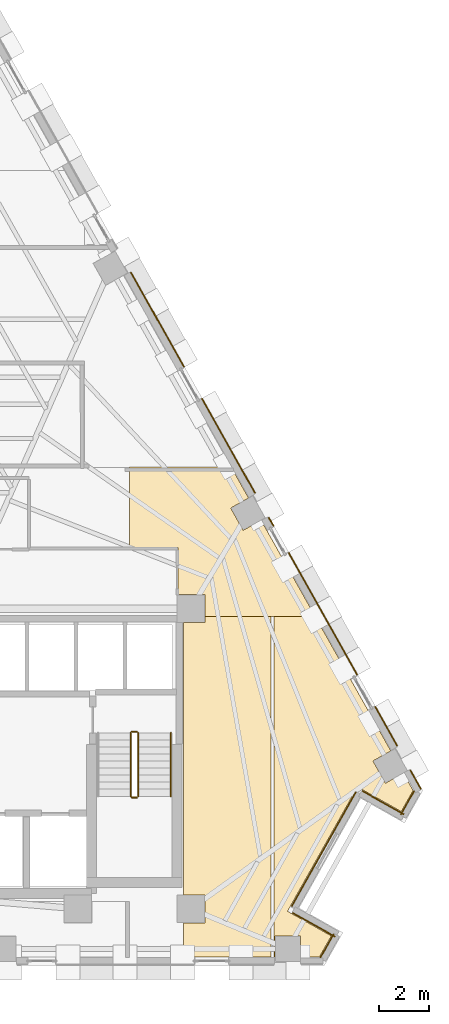
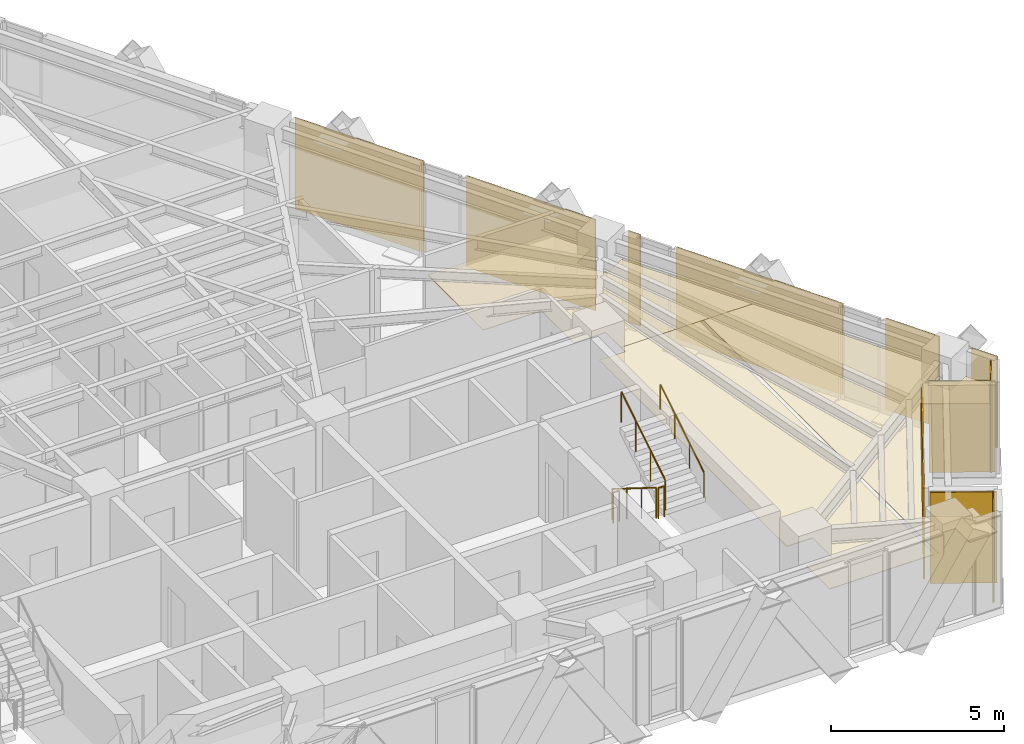
# One storey, part 12 of 13: 14 coverings, 5 railings.
"""IFC4 building model written with IfcOpenShell, lengths in metres."""

from ifc_helpers import new_model, si_unit, direction, frame, origin, origin_2d, place, context, subcontext, project, spatial, polyline, circle, outline, extrude, material, layer, layer_set, type_object, element, save


model = new_model("IFC4")

# Units and contexts
model_context = context("Model", 3, precision=1e-05, world=origin(), true_north=direction((0.0, 1.0)))
body_context = subcontext(model_context, "Body", "Model", "MODEL_VIEW")
ifc_project = project(units=[si_unit("LENGTHUNIT", "METRE"), si_unit("AREAUNIT", "SQUARE_METRE"), si_unit("VOLUMEUNIT", "CUBIC_METRE"), si_unit("PLANEANGLEUNIT", "RADIAN"), si_unit("MASSUNIT", "GRAM", prefix="KILO")], contexts=[model_context])

# Site, building, storey
site_placement = place(None, origin())
site = spatial("IfcSite", under=ifc_project, at=site_placement, CompositionType="ELEMENT")
building_placement = place(site_placement, origin())
building = spatial("IfcBuilding", under=site, at=building_placement, Name="Quenlor Broadcast Tower", CompositionType="ELEMENT")
storey_placement = place(building_placement, frame((0.0, 0.0, 137.0)))
storey = spatial("IfcBuildingStorey", under=building, at=storey_placement, Name="L37", CompositionType="ELEMENT", Elevation=137.0)

# Coverings
ifc_material_1 = material(Name="Acoustic Mineral Fibre Board", Category="other")
ifc_layer_1 = layer(ifc_material_1, 0.02490234375)
ifc_layer_set_1 = layer_set([ifc_layer_1], Name="Acoustic Perforated Mineral Tile Ceiling 25")
covering_type_1 = type_object("IfcCoveringType", Name="Acoustic Perforated Mineral Tile Ceiling 25", PredefinedType="CEILING", material=ifc_layer_set_1)
covering_1_placement = place(storey_placement, frame((0.0, 0.0, 2.375)))
element("IfcCovering", 1, at=covering_1_placement, inside=storey, type_object=covering_type_1, Name="L37 Acoustic Ceiling L37-35", PredefinedType="CEILING", context=body_context, shape_type="SweptSolid", body=[
    extrude(outline(polyline([(13.508056640625, -4.241943359375), (12.43994140625, -4.241943359375), (12.43994140625, -2.3701171875), (10.50537109375, -2.3701171875), (10.50537109375, 0.840087890625), (14.5498046875, 0.840087890625), (15.2451171875, -0.39599609375), (14.5322265625, -0.797119140625), (15.0302734375, -1.6826171875), (15.7431640625, -1.281494140625), (17.90234375, -5.1201171875), (16.260009765625, -5.1201171875), (16.139892578125, -5.1201171875), (13.508056640625, -5.1201171875), (13.508056640625, -4.241943359375)])), origin(), (0.0, 0.0, 1.0), 0.02490234375),
])
covering_2_placement = place(storey_placement, frame((0.0, 0.0, 2.375)))
element("IfcCovering", 2, at=covering_2_placement, inside=storey, type_object=covering_type_1, Name="L37 Acoustic Ceiling L37-35-2", PredefinedType="CEILING", context=body_context, shape_type="SweptSolid", body=[
    extrude(outline(polyline([(13.508056640625, -5.1201171875), (16.139892578125, -5.1201171875), (16.139892578125, -18.659912109375), (12.64990234375, -18.659912109375), (12.64990234375, -17.30810546875), (13.508056640625, -17.30810546875), (13.508056640625, -16.19189453125), (12.64990234375, -16.19189453125), (12.64990234375, -5.35791015625), (13.508056640625, -5.35791015625), (13.508056640625, -5.1201171875)])), origin(), (0.0, 0.0, 1.0), 0.02490234375),
])
covering_3_placement = place(storey_placement, frame((0.0, 0.0, 2.375)))
element("IfcCovering", 3, at=covering_3_placement, inside=storey, type_object=covering_type_1, Name="L37 Acoustic Ceiling L37-35-3", PredefinedType="CEILING", context=body_context, shape_type="SweptSolid", body=[
    extrude(outline(polyline([(20.90869140625, -10.46484375), (20.19580078125, -10.86572265625), (20.694091796875, -11.751220703125), (21.406982421875, -11.350341796875), (21.794921875, -12.0400390625), (21.323486328125, -12.878173828125), (19.580322265625, -11.8974609375), (16.795654296875, -16.847900390625), (18.538818359375, -17.82861328125), (18.071044921875, -18.659912109375), (17.31640625, -18.659912109375), (17.31640625, -17.842041015625), (16.30029296875, -17.842041015625), (16.30029296875, -18.659912109375), (16.260009765625, -18.659912109375), (16.260009765625, -5.1201171875), (17.90234375, -5.1201171875), (20.90869140625, -10.46484375)])), origin(), (0.0, 0.0, 1.0), 0.02490234375),
])
ifc_material_2 = material(Name="Architectural Terracotta Ceramic", Category="masonry")
ifc_layer_2 = layer(ifc_material_2, 0.044921875)
ifc_layer_set_2 = layer_set([ifc_layer_2], Name="Fluted Terracotta Rainscreen Cladding Panel")
covering_type_2 = type_object("IfcCoveringType", Name="Fluted Terracotta Rainscreen Cladding Panel", PredefinedType="CLADDING", material=ifc_layer_set_2)
covering_4_placement = place(storey_placement, frame((0.0, 0.0, 0.02001953125)))
element("IfcCovering", 4, at=covering_4_placement, inside=storey, type_object=covering_type_2, Name="L37 Terracotta Rainscreen Cladding L37-SHD-NES1", PredefinedType="CLADDING", context=body_context, shape_type="SweptSolid", body=[
    extrude(outline(polyline([(21.66162109375, -11.23779296875), (22.0859375, -11.992431640625), (22.125244140625, -11.970458984375), (21.70068359375, -11.2158203125), (21.66162109375, -11.23779296875)])), origin(), (0.0, 0.0, 1.0), 3.2099609375),
])
covering_5_placement = place(storey_placement, frame((0.0, 0.0, 0.02001953125)))
element("IfcCovering", 5, at=covering_5_placement, inside=storey, type_object=covering_type_2, Name="L37 Terracotta Rainscreen Cladding L37-NEC-SP1", PredefinedType="CLADDING", context=body_context, shape_type="SweptSolid", body=[
    extrude(outline(polyline([(16.025146484375, -1.1767578125), (16.22119140625, -1.525390625), (16.260498046875, -1.50341796875), (16.064453125, -1.15478515625), (16.025146484375, -1.1767578125)])), origin(), (0.0, 0.0, 1.0), 3.2099609375),
])
covering_6_placement = place(storey_placement, frame((0.0, 0.0, 0.02001953125)))
element("IfcCovering", 6, at=covering_6_placement, inside=storey, type_object=covering_type_2, Name="L37 Terracotta Rainscreen Cladding L37-NEC-SP2", PredefinedType="CLADDING", context=body_context, shape_type="SweptSolid", body=[
    extrude(outline(polyline([(16.81591796875, -2.582763671875), (19.55322265625, -7.44921875), (19.592529296875, -7.42724609375), (16.855224609375, -2.560791015625), (16.81591796875, -2.582763671875)])), origin(), (0.0, 0.0, 1.0), 3.2099609375),
])
covering_7_placement = place(storey_placement, frame((0.0, 0.0, 0.02001953125)))
element("IfcCovering", 7, at=covering_7_placement, inside=storey, type_object=covering_type_2, Name="L37 Terracotta Rainscreen Cladding L37-NEC-SP3", PredefinedType="CLADDING", context=body_context, shape_type="SweptSolid", body=[
    extrude(outline(polyline([(20.26416015625, -8.712646484375), (21.14453125, -10.278076171875), (21.183837890625, -10.256103515625), (20.30322265625, -8.690673828125), (20.26416015625, -8.712646484375)])), origin(), (0.0, 0.0, 1.0), 3.2099609375),
])
covering_8_placement = place(storey_placement, frame((0.0, 0.0, 0.02001953125)))
element("IfcCovering", 8, at=covering_8_placement, inside=storey, type_object=covering_type_2, Name="L37 Terracotta Rainscreen Cladding L37-NE-SP1", PredefinedType="CLADDING", context=body_context, shape_type="SweptSolid", body=[
    extrude(outline(polyline([(10.541748046875, 8.571533203125), (12.656982421875, 4.810791015625), (12.6962890625, 4.832763671875), (10.580810546875, 8.593505859375), (10.541748046875, 8.571533203125)])), origin(), (0.0, 0.0, 1.0), 3.2099609375),
])
covering_9_placement = place(storey_placement, frame((0.0, 0.0, 0.02001953125)))
element("IfcCovering", 9, at=covering_9_placement, inside=storey, type_object=covering_type_2, Name="L37 Terracotta Rainscreen Cladding L37-NE-SP2", PredefinedType="CLADDING", context=body_context, shape_type="SweptSolid", body=[
    extrude(outline(polyline([(13.367919921875, 3.547119140625), (15.4833984375, -0.213623046875), (15.522705078125, -0.191650390625), (13.4072265625, 3.569091796875), (13.367919921875, 3.547119140625)])), origin(), (0.0, 0.0, 1.0), 3.2099609375),
])
covering_10_placement = place(storey_placement, frame((0.0, 0.0, 0.02001953125)))
element("IfcCovering", 10, at=covering_10_placement, inside=storey, type_object=covering_type_2, Name="L37 Terracotta Rainscreen Cladding L37-CNR-01", PredefinedType="CLADDING", context=body_context, shape_type="SweptSolid", body=[
    extrude(outline(polyline([(18.702880859375, -17.8427734375), (17.011962890625, -16.8916015625), (16.989990234375, -16.930908203125), (18.680908203125, -17.882080078125), (18.702880859375, -17.8427734375)])), origin(), (0.0, 0.0, 1.0), 3.2099609375),
])
covering_11_placement = place(storey_placement, frame((0.0, 0.0, 0.02001953125)))
element("IfcCovering", 11, at=covering_11_placement, inside=storey, type_object=covering_type_2, Name="L37 Terracotta Rainscreen Cladding L37-CNR-02", PredefinedType="CLADDING", context=body_context, shape_type="SweptSolid", body=[
    extrude(outline(polyline([(16.9775390625, -16.663330078125), (19.53662109375, -12.11376953125), (19.49755859375, -12.091796875), (16.938232421875, -16.641357421875), (16.9775390625, -16.663330078125)])), origin(), (0.0, 0.0, 1.0), 3.2099609375),
])
covering_12_placement = place(storey_placement, frame((0.0, 0.0, 0.02001953125)))
element("IfcCovering", 12, at=covering_12_placement, inside=storey, type_object=covering_type_2, Name="L37 Terracotta Rainscreen Cladding L37-CNR-03", PredefinedType="CLADDING", context=body_context, shape_type="SweptSolid", body=[
    extrude(outline(polyline([(19.764892578125, -12.079345703125), (21.4208984375, -13.010986328125), (21.443115234375, -12.9716796875), (19.787109375, -12.0400390625), (19.764892578125, -12.079345703125)])), origin(), (0.0, 0.0, 1.0), 3.2099609375),
])
covering_13_placement = place(storey_placement, frame((0.0, 0.0, 0.02001953125)))
element("IfcCovering", 13, at=covering_13_placement, inside=storey, type_object=covering_type_2, Name="L37 Terracotta Rainscreen Cladding L37-CNR-04", PredefinedType="CLADDING", context=body_context, shape_type="SweptSolid", body=[
    extrude(outline(polyline([(21.328857421875, -13.007080078125), (21.859619140625, -12.0634765625), (21.820556640625, -12.04150390625), (21.289794921875, -12.985107421875), (21.328857421875, -13.007080078125)])), origin(), (0.0, 0.0, 1.0), 3.2099609375),
])
covering_14_placement = place(storey_placement, frame((0.0, 0.0, 0.02001953125)))
element("IfcCovering", 14, at=covering_14_placement, inside=storey, type_object=covering_type_2, Name="L37 Terracotta Rainscreen Cladding L37-CNR-18", PredefinedType="CLADDING", context=body_context, shape_type="SweptSolid", body=[
    extrude(outline(polyline([(18.122802734375, -18.70654296875), (18.652099609375, -17.76611328125), (18.61279296875, -17.743896484375), (18.083740234375, -18.6845703125), (18.122802734375, -18.70654296875)])), origin(), (0.0, 0.0, 1.0), 3.2099609375),
])

# Railings
ifc_material_3 = material(Name="Anodised Aluminium", Category="aluminium")
railing_type_1 = type_object("IfcRailingType", Name="Stainless Aluminium Wall Handrail 900", PredefinedType="HANDRAIL", material=ifc_material_3)
railing_1_placement = place(storey_placement, frame((12.14990234375, -12.27001953125, 1.925048828125)))
element("IfcRailing", 15, at=railing_1_placement, inside=storey, type_object=railing_type_1, Name="L37 ST-2 stair handrail 2", PredefinedType="HANDRAIL", context=body_context, shape_type="SweptSolid", body=[
    extrude(circle(Radius=0.02392578125, at=origin_2d()), frame((0.0, 0.0, 0.8759765625), z_axis=(0.0, 0.848007534815, 0.529984170421), x_axis=(-1.0, 0.0, 0.0)), (0.0, 0.0, 1.0), 2.9716796875),
    extrude(circle(Radius=0.02099609375, at=origin_2d()), origin(), (0.0, 0.0, 1.0), 0.851806640625),
    extrude(circle(Radius=0.02099609375, at=origin_2d()), frame((0.0, 0.840087890625, 0.52490234375)), (0.0, 0.0, 1.0), 0.851806640625),
    extrude(circle(Radius=0.02099609375, at=origin_2d()), frame((0.0, 1.679931640625, 1.050048828125)), (0.0, 0.0, 1.0), 0.851806640625),
    extrude(circle(Radius=0.02099609375, at=origin_2d()), frame((0.0, 2.52001953125, 1.574951171875)), (0.0, 0.0, 1.0), 0.851806640625),
])
ifc_material_4 = material(Name="Steel S355", Category="steel")
railing_type_2 = type_object("IfcRailingType", Name="Tubular Steel S355 Stair Guardrail 1100", PredefinedType="BALUSTRADE", material=ifc_material_4)
railing_2_placement = place(storey_placement, frame((10.550048828125, -9.75, 0.175048828125)))
element("IfcRailing", 16, at=railing_2_placement, inside=storey, type_object=railing_type_2, Name="L37 ST-2 stair guard 1", PredefinedType="BALUSTRADE", context=body_context, shape_type="SweptSolid", body=[
    extrude(circle(Radius=0.02392578125, at=origin_2d()), frame((0.0, 0.0, 1.076171875), z_axis=(0.0, -0.848007534815, 0.529984170421), x_axis=(1.0, 0.0, 0.0)), (0.0, 0.0, 1.0), 2.9716796875),
    extrude(circle(Radius=0.02099609375, at=origin_2d()), origin(), (0.0, 0.0, 1.0), 1.052001953125),
    extrude(circle(Radius=0.02099609375, at=origin_2d()), frame((0.0, -0.840087890625, 0.52490234375)), (0.0, 0.0, 1.0), 1.052001953125),
    extrude(circle(Radius=0.02099609375, at=origin_2d()), frame((0.0, -1.679931640625, 1.050048828125)), (0.0, 0.0, 1.0), 1.052001953125),
    extrude(circle(Radius=0.02099609375, at=origin_2d()), frame((0.0, -2.52001953125, 1.574951171875)), (0.0, 0.0, 1.0), 1.052001953125),
])
railing_3_placement = place(storey_placement, frame((10.60009765625, -12.320068359375, 1.75)))
element("IfcRailing", 17, at=railing_3_placement, inside=storey, type_object=railing_type_2, Name="L37 ST-2 stair guard 2", PredefinedType="BALUSTRADE", context=body_context, shape_type="SweptSolid", body=[
    extrude(circle(Radius=0.02392578125, at=origin_2d()), frame((0.0, 0.0, 1.076171875), z_axis=(1.0, 0.0, 0.0), x_axis=(0.0, 1.0, 0.0)), (0.0, 0.0, 1.0), 0.199951171875),
    extrude(circle(Radius=0.02099609375, at=origin_2d()), origin(), (0.0, 0.0, 1.0), 1.052001953125),
    extrude(circle(Radius=0.02099609375, at=origin_2d()), frame((0.199951171875, 0.0, 0.0)), (0.0, 0.0, 1.0), 1.052001953125),
])
railing_4_placement = place(storey_placement, frame((10.85009765625, -12.27001953125, 1.925048828125)))
element("IfcRailing", 18, at=railing_4_placement, inside=storey, type_object=railing_type_2, Name="L37 ST-2 stair guard 3", PredefinedType="BALUSTRADE", context=body_context, shape_type="SweptSolid", body=[
    extrude(circle(Radius=0.02392578125, at=origin_2d()), frame((0.0, 0.0, 1.076171875), z_axis=(0.0, 0.848007534815, 0.529984170421), x_axis=(-1.0, 0.0, 0.0)), (0.0, 0.0, 1.0), 2.9716796875),
    extrude(circle(Radius=0.02099609375, at=origin_2d()), origin(), (0.0, 0.0, 1.0), 1.052001953125),
    extrude(circle(Radius=0.02099609375, at=origin_2d()), frame((0.0, 0.840087890625, 0.52490234375)), (0.0, 0.0, 1.0), 1.052001953125),
    extrude(circle(Radius=0.02099609375, at=origin_2d()), frame((0.0, 1.679931640625, 1.050048828125)), (0.0, 0.0, 1.0), 1.052001953125),
    extrude(circle(Radius=0.02099609375, at=origin_2d()), frame((0.0, 2.52001953125, 1.574951171875)), (0.0, 0.0, 1.0), 1.052001953125),
])
railing_5_placement = place(storey_placement, frame((10.60009765625, -9.699951171875, 0.0)))
element("IfcRailing", 19, at=railing_5_placement, inside=storey, type_object=railing_type_2, Name="L37 ST-2 stair guard 4", PredefinedType="BALUSTRADE", context=body_context, shape_type="SweptSolid", body=[
    extrude(circle(Radius=0.02392578125, at=origin_2d()), frame((0.0, 0.0, 1.076171875), z_axis=(1.0, 0.0, 0.0), x_axis=(0.0, 1.0, 0.0)), (0.0, 0.0, 1.0), 0.199951171875),
    extrude(circle(Radius=0.02099609375, at=origin_2d()), origin(), (0.0, 0.0, 1.0), 1.052001953125),
    extrude(circle(Radius=0.02099609375, at=origin_2d()), frame((0.199951171875, 0.0, 0.0)), (0.0, 0.0, 1.0), 1.052001953125),
])

save(model, "model.ifc")
